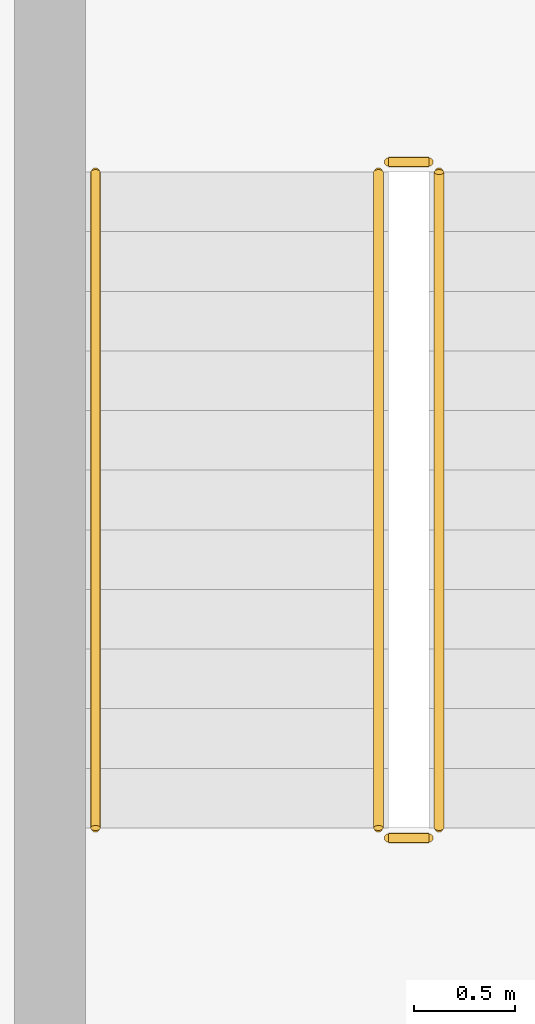
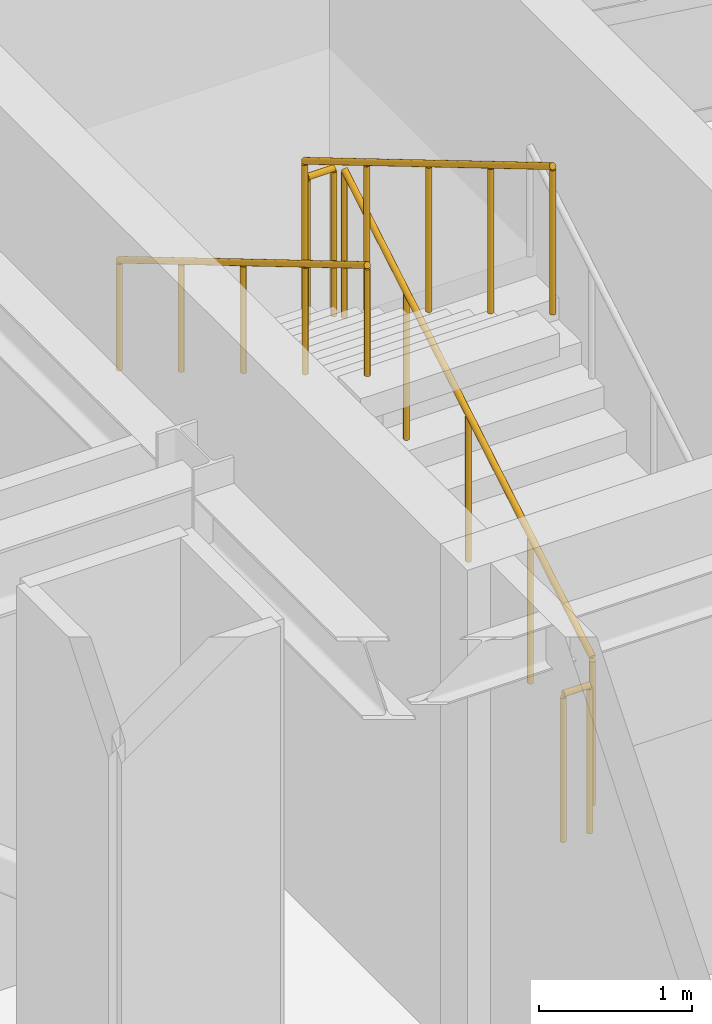
# One storey, part 63 of 64: 5 railings.
"""IFC4 building model written with IfcOpenShell, lengths in metres."""

from ifc_helpers import new_model, si_unit, direction, frame, origin, origin_2d, place, context, subcontext, project, spatial, circle, extrude, material, layer, layer_set, type_object, element, save


model = new_model("IFC4")

# Units and contexts
model_context = context("Model", 3, precision=1e-05, world=origin(), true_north=direction((0.0, 1.0)))
body_context = subcontext(model_context, "Body", "Model", "MODEL_VIEW")
ifc_project = project(units=[si_unit("LENGTHUNIT", "METRE"), si_unit("AREAUNIT", "SQUARE_METRE"), si_unit("VOLUMEUNIT", "CUBIC_METRE"), si_unit("PLANEANGLEUNIT", "RADIAN"), si_unit("MASSUNIT", "GRAM", prefix="KILO")], contexts=[model_context])

# Site, building, storey
site_placement = place(None, origin())
site = spatial("IfcSite", under=ifc_project, at=site_placement, CompositionType="ELEMENT")
building_placement = place(site_placement, origin())
building = spatial("IfcBuilding", under=site, at=building_placement, Name="Nordkorset Police Headquarters", CompositionType="ELEMENT")
storey_placement = place(building_placement, frame((0.0, 0.0, 17.85009765625)))
storey = spatial("IfcBuildingStorey", under=building, at=storey_placement, Name="L04", CompositionType="ELEMENT", Elevation=17.85009765625)

# Railings
ifc_material_1 = material(Name="Steel S355J2", Category="steel")
ifc_layer_1 = layer(ifc_material_1, 0.048095703125, Name="Steel S355J2")
ifc_layer_set_1 = layer_set([ifc_layer_1], Name="Steel S355J2")
railing_type_1 = type_object("IfcRailingType", Name="Railing_Handrail_900", PredefinedType="HANDRAIL", material=ifc_layer_set_1)
railing_1_placement = place(storey_placement, frame((58.97509765625, 113.77001953125, 2.27490234375)))
element("IfcRailing", 1, at=railing_1_placement, inside=storey, type_object=railing_type_1, Name="L04 ST-02 stair handrail 2", PredefinedType="HANDRAIL", context=body_context, shape_type="SweptSolid", body=[
    extrude(circle(Radius=0.02392578125, at=origin_2d()), frame((0.0, 0.0, 0.8759765625), z_axis=(0.0, -0.860057060016, 0.510197857224), x_axis=(1.0, 0.0, 0.0)), (0.0, 0.0, 1.0), 3.773193359375),
    extrude(circle(Radius=0.02099609375, at=origin_2d()), origin(), (0.0, 0.0, 1.0), 0.851806640625),
    extrude(circle(Radius=0.02099609375, at=origin_2d()), frame((0.0, -0.811279296875, 0.481201171875)), (0.0, 0.0, 1.0), 0.851806640625),
    extrude(circle(Radius=0.02099609375, at=origin_2d()), frame((0.0, -1.62255859375, 0.96240234375)), (0.0, 0.0, 1.0), 0.851806640625),
    extrude(circle(Radius=0.02099609375, at=origin_2d()), frame((0.0, -2.433837890625, 1.44384765625)), (0.0, 0.0, 1.0), 0.851806640625),
    extrude(circle(Radius=0.02099609375, at=origin_2d()), frame((0.0, -3.2451171875, 1.925048828125)), (0.0, 0.0, 1.0), 0.851806640625),
])
ifc_material_2 = material(Name="Steel S355J2", Category="steel")
ifc_layer_2 = layer(ifc_material_2, 0.050048828125, Name="Steel S355J2")
ifc_layer_set_2 = layer_set([ifc_layer_2], Name="Steel S355J2")
railing_type_2 = type_object("IfcRailingType", Name="Railing_StairGuard_1200", PredefinedType="GUARDRAIL", material=ifc_layer_set_2)
railing_2_placement = place(storey_placement, frame((60.675048828125, 110.52490234375, 0.1748046875)))
element("IfcRailing", 2, at=railing_2_placement, inside=storey, type_object=railing_type_2, Name="L04 ST-02 stair guard 1", PredefinedType="GUARDRAIL", context=body_context, shape_type="SweptSolid", body=[
    extrude(circle(Radius=0.02392578125, at=origin_2d()), frame((0.0, 0.0, 1.17578125), z_axis=(0.0, 0.860057060016, 0.510197857224), x_axis=(-1.0, 0.0, 0.0)), (0.0, 0.0, 1.0), 3.773193359375),
    extrude(circle(Radius=0.02099609375, at=origin_2d()), origin(), (0.0, 0.0, 1.0), 1.15185546875),
    extrude(circle(Radius=0.02099609375, at=origin_2d()), frame((0.0, 0.811279296875, 0.481201171875)), (0.0, 0.0, 1.0), 1.15185546875),
    extrude(circle(Radius=0.02099609375, at=origin_2d()), frame((0.0, 1.62255859375, 0.96240234375)), (0.0, 0.0, 1.0), 1.15185546875),
    extrude(circle(Radius=0.02099609375, at=origin_2d()), frame((0.0, 2.433837890625, 1.44384765625)), (0.0, 0.0, 1.0), 1.15185546875),
    extrude(circle(Radius=0.02099609375, at=origin_2d()), frame((0.0, 3.2451171875, 1.925048828125)), (0.0, 0.0, 1.0), 1.15185546875),
])
railing_3_placement = place(storey_placement, frame((60.625, 113.820068359375, 2.099853515625)))
element("IfcRailing", 3, at=railing_3_placement, inside=storey, type_object=railing_type_2, Name="L04 ST-02 stair guard 2", PredefinedType="GUARDRAIL", context=body_context, shape_type="SweptSolid", body=[
    extrude(circle(Radius=0.02392578125, at=origin_2d()), frame((0.0, 0.0, 1.17578125), z_axis=(-1.0, 0.0, 0.0), x_axis=(0.0, -1.0, 0.0)), (0.0, 0.0, 1.0), 0.199951171875),
    extrude(circle(Radius=0.02099609375, at=origin_2d()), origin(), (0.0, 0.0, 1.0), 1.15185546875),
    extrude(circle(Radius=0.02099609375, at=origin_2d()), frame((-0.199951171875, 0.0, 0.0)), (0.0, 0.0, 1.0), 1.15185546875),
])
railing_4_placement = place(storey_placement, frame((60.375, 113.77001953125, 2.27490234375)))
element("IfcRailing", 4, at=railing_4_placement, inside=storey, type_object=railing_type_2, Name="L04 ST-02 stair guard 3", PredefinedType="GUARDRAIL", context=body_context, shape_type="SweptSolid", body=[
    extrude(circle(Radius=0.02392578125, at=origin_2d()), frame((0.0, 0.0, 1.17578125), z_axis=(0.0, -0.860057060016, 0.510197857224), x_axis=(1.0, 0.0, 0.0)), (0.0, 0.0, 1.0), 3.773193359375),
    extrude(circle(Radius=0.02099609375, at=origin_2d()), origin(), (0.0, 0.0, 1.0), 1.15185546875),
    extrude(circle(Radius=0.02099609375, at=origin_2d()), frame((0.0, -0.811279296875, 0.481201171875)), (0.0, 0.0, 1.0), 1.15185546875),
    extrude(circle(Radius=0.02099609375, at=origin_2d()), frame((0.0, -1.62255859375, 0.96240234375)), (0.0, 0.0, 1.0), 1.15185546875),
    extrude(circle(Radius=0.02099609375, at=origin_2d()), frame((0.0, -2.433837890625, 1.44384765625)), (0.0, 0.0, 1.0), 1.15185546875),
    extrude(circle(Radius=0.02099609375, at=origin_2d()), frame((0.0, -3.2451171875, 1.925048828125)), (0.0, 0.0, 1.0), 1.15185546875),
])
railing_5_placement = place(storey_placement, frame((60.625, 110.47509765625, 0.0)))
element("IfcRailing", 5, at=railing_5_placement, inside=storey, type_object=railing_type_2, Name="L04 ST-02 stair guard 4", PredefinedType="GUARDRAIL", context=body_context, shape_type="SweptSolid", body=[
    extrude(circle(Radius=0.02392578125, at=origin_2d()), frame((0.0, 0.0, 1.17578125), z_axis=(-1.0, 0.0, 0.0), x_axis=(0.0, -1.0, 0.0)), (0.0, 0.0, 1.0), 0.199951171875),
    extrude(circle(Radius=0.02099609375, at=origin_2d()), origin(), (0.0, 0.0, 1.0), 1.15185546875),
    extrude(circle(Radius=0.02099609375, at=origin_2d()), frame((-0.199951171875, 0.0, 0.0)), (0.0, 0.0, 1.0), 1.15185546875),
])

save(model, "model.ifc")
